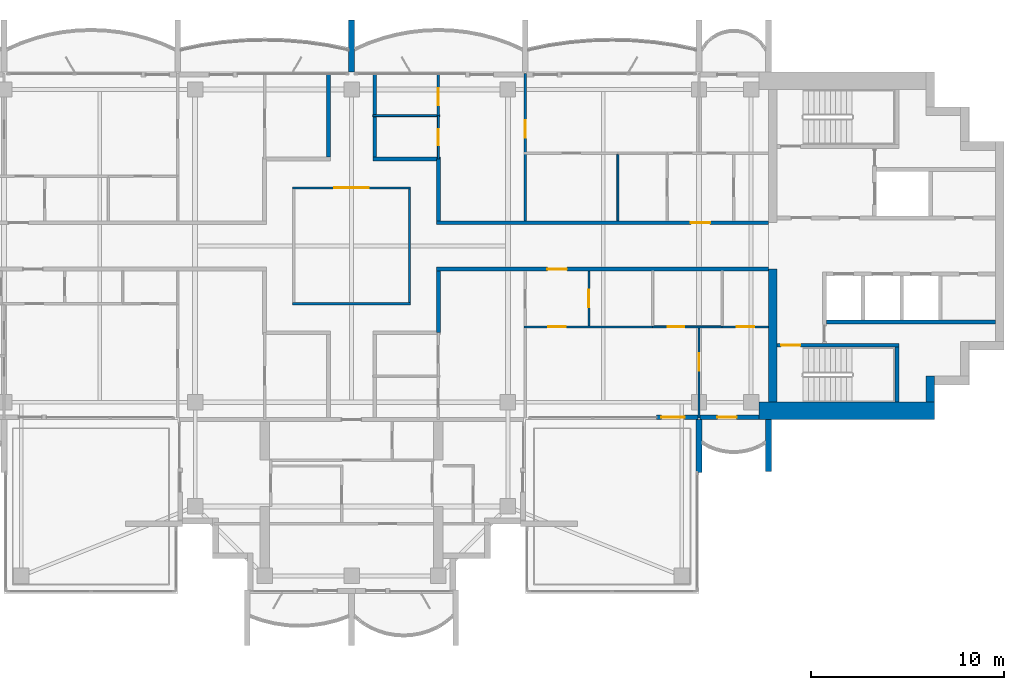
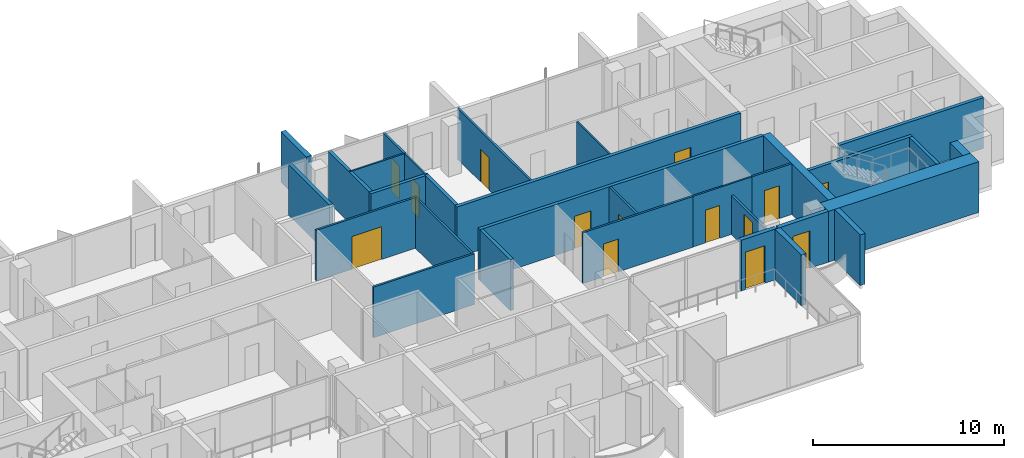
# One storey, part 10 of 16: 31 walls, 14 doors, 14 openings.
"""IFC4 building model written with IfcOpenShell, lengths in metres."""

from ifc_helpers import new_model, si_unit, direction, frame, frame_2d, origin, place, context, subcontext, project, spatial, rectangle, extrude, material, layer, layer_set, type_object, element, fill, save


model = new_model("IFC4")

# Units and contexts
model_context = context("Model", 3, precision=1e-05, world=origin(), true_north=direction((0.0, 1.0)))
body_context = subcontext(model_context, "Body", "Model", "MODEL_VIEW")
ifc_project = project(units=[si_unit("LENGTHUNIT", "METRE"), si_unit("AREAUNIT", "SQUARE_METRE"), si_unit("VOLUMEUNIT", "CUBIC_METRE"), si_unit("PLANEANGLEUNIT", "RADIAN"), si_unit("MASSUNIT", "GRAM", prefix="KILO")], contexts=[model_context])

# Site, building, storey
site_placement = place(None, origin())
site = spatial("IfcSite", under=ifc_project, at=site_placement, CompositionType="ELEMENT")
building_placement = place(site_placement, origin())
building = spatial("IfcBuilding", under=site, at=building_placement, Name="Perihelion Cross Residences", CompositionType="ELEMENT")
storey_placement = place(building_placement, frame((0.0, 0.0, 267.5)))
storey = spatial("IfcBuildingStorey", under=building, at=storey_placement, Name="L68", CompositionType="ELEMENT", Elevation=267.5)

# Wall, opening, door
ifc_material_1 = material(Name="Plasterboard partition")
ifc_layer_1 = layer(ifc_material_1, 0.199951171875)
ifc_layer_set_1 = layer_set([ifc_layer_1], Name="Apartment separation wall 200")
wall_type_1 = type_object("IfcWallType", Name="Apartment separation wall 200", PredefinedType="PARTITIONING", material=ifc_layer_set_1)
wall_1_placement = place(storey_placement, frame((4.39990234375, 1.199951171875, 0.0), z_axis=(0.0, 0.0, 1.0), x_axis=(1.0, 0.0, 0.0)))
wall_1 = element("IfcWall", 1, at=wall_1_placement, inside=storey, type_object=wall_type_1, Name="Partition L68 W005", PredefinedType="PARTITIONING", context=body_context, shape_type="SweptSolid", body=[
    extrude(rectangle(XDim=17.2001953125, YDim=0.199951171875, at=frame_2d((8.60009765625, 0.0))), origin(), (0.0, 0.0, 1.0), 3.25),
])
opening_1_placement = place(wall_1_placement, frame((13.175048828125, 0.0, 0.0)))
opening_1 = element("IfcOpeningElement", 2, at=opening_1_placement, cuts=wall_1, Name="Opening L68.A40", PredefinedType="OPENING", context=body_context, shape_type="SweptSolid", body=[
    extrude(rectangle(XDim=1.0, YDim=2.10009765625, at=frame_2d((0.5, 1.050048828125))), frame((0.0, 0.10986328125, 0.0), z_axis=(0.0, -1.0, 0.0), x_axis=(1.0, 0.0, 0.0)), (0.0, 0.0, 1.0), 0.219970703125),
])
ifc_material_2 = material(Name="Timber door leaf", Category="wood")
door_type_1 = type_object("IfcDoorType", Name="Flat entrance door 1000 x 2100", OperationType="SINGLE_SWING_LEFT", PredefinedType="DOOR", material=ifc_material_2)
door_1_placement = place(opening_1_placement, origin())
door_1 = element("IfcDoor", 3, at=door_1_placement, inside=storey, type_object=door_type_1, Name="Door L68.A40", OperationType="SINGLE_SWING_LEFT", OverallHeight=2.10009765625, OverallWidth=1.0, PredefinedType="DOOR", context=body_context, shape_type="SweptSolid", body=[
    extrude(rectangle(XDim=1.0, YDim=2.10009765625, at=frame_2d((0.5, 1.050048828125))), frame((0.0, 0.02490234375, 0.0), z_axis=(0.0, -1.0, 0.0), x_axis=(1.0, 0.0, 0.0)), (0.0, 0.0, 1.0), 0.050048828125),
])
fill(opening_1, door_1)

# Walls
wall_2_placement = place(storey_placement, frame((4.5, 4.5, 0.0), z_axis=(0.0, 0.0, 1.0), x_axis=(0.0, -1.0, 0.0)))
element("IfcWall", 4, at=wall_2_placement, inside=storey, type_object=wall_type_1, Name="Partition L68 W006", PredefinedType="PARTITIONING", context=body_context, shape_type="SweptSolid", body=[
    extrude(rectangle(XDim=3.199951171875, YDim=0.199951171875, at=frame_2d((1.60009765625, 0.0))), origin(), (0.0, 0.0, 1.0), 3.25),
])
wall_3_placement = place(storey_placement, frame((1.199951171875, 8.919921875, 0.0), z_axis=(0.0, 0.0, 1.0), x_axis=(0.0, -1.0, 0.0)))
element("IfcWall", 5, at=wall_3_placement, inside=storey, type_object=wall_type_1, Name="Partition L68 W007", PredefinedType="PARTITIONING", context=body_context, shape_type="SweptSolid", body=[
    extrude(rectangle(XDim=4.31982421875, YDim=0.199951171875, at=frame_2d((2.159912109375, 0.0))), origin(), (0.0, 0.0, 1.0), 3.25),
])
wall_4_placement = place(storey_placement, frame((1.10009765625, 4.5, 0.0), z_axis=(0.0, 0.0, 1.0), x_axis=(1.0, 0.0, 0.0)))
element("IfcWall", 6, at=wall_4_placement, inside=storey, type_object=wall_type_1, Name="Partition L68 W008", PredefinedType="PARTITIONING", context=body_context, shape_type="SweptSolid", body=[
    extrude(rectangle(XDim=3.5, YDim=0.199951171875, at=frame_2d((1.75, 0.0))), origin(), (0.0, 0.0, 1.0), 3.25),
])

# Wall, opening, door
wall_5_placement = place(storey_placement, frame((21.60009765625, -1.199951171875, 0.0), z_axis=(0.0, 0.0, 1.0), x_axis=(-1.0, 0.0, 0.0)))
wall_5 = element("IfcWall", 7, at=wall_5_placement, inside=storey, type_object=wall_type_1, Name="Partition L68 W009", PredefinedType="PARTITIONING", context=body_context, shape_type="SweptSolid", body=[
    extrude(rectangle(XDim=17.2001953125, YDim=0.199951171875, at=frame_2d((8.60009765625, 0.0))), origin(), (0.0, 0.0, 1.0), 3.25),
])
opening_2_placement = place(wall_5_placement, frame((10.449951171875, 0.0, 0.0)))
opening_2 = element("IfcOpeningElement", 8, at=opening_2_placement, cuts=wall_5, Name="Opening L68.A41", PredefinedType="OPENING", context=body_context, shape_type="SweptSolid", body=[
    extrude(rectangle(XDim=1.0, YDim=2.10009765625, at=frame_2d((0.5, 1.050048828125))), frame((0.0, 0.10986328125, 0.0), z_axis=(0.0, -1.0, 0.0), x_axis=(1.0, 0.0, 0.0)), (0.0, 0.0, 1.0), 0.219970703125),
])
door_2_placement = place(opening_2_placement, origin())
door_2 = element("IfcDoor", 9, at=door_2_placement, inside=storey, type_object=door_type_1, Name="Door L68.A41", OperationType="SINGLE_SWING_LEFT", OverallHeight=2.10009765625, OverallWidth=1.0, PredefinedType="DOOR", context=body_context, shape_type="SweptSolid", body=[
    extrude(rectangle(XDim=1.0, YDim=2.10009765625, at=frame_2d((0.5, 1.050048828125))), frame((0.0, 0.02490234375, 0.0), z_axis=(0.0, -1.0, 0.0), x_axis=(1.0, 0.0, 0.0)), (0.0, 0.0, 1.0), 0.050048828125),
])
fill(opening_2, door_2)

# Walls
wall_6_placement = place(storey_placement, frame((4.5, -1.300048828125, 0.0), z_axis=(0.0, 0.0, 1.0), x_axis=(0.0, -1.0, 0.0)))
element("IfcWall", 10, at=wall_6_placement, inside=storey, type_object=wall_type_1, Name="Partition L68 W010", PredefinedType="PARTITIONING", context=body_context, shape_type="SweptSolid", body=[
    extrude(rectangle(XDim=3.199951171875, YDim=0.199951171875, at=frame_2d((1.60009765625, 0.0))), origin(), (0.0, 0.0, 1.0), 3.25),
])
wall_7_placement = place(storey_placement, frame((-1.199951171875, 4.60009765625, 0.0), z_axis=(0.0, 0.0, 1.0), x_axis=(0.0, 1.0, 0.0)))
element("IfcWall", 11, at=wall_7_placement, inside=storey, type_object=wall_type_1, Name="Partition L68 W016", PredefinedType="PARTITIONING", context=body_context, shape_type="SweptSolid", body=[
    extrude(rectangle(XDim=4.31982421875, YDim=0.199951171875, at=frame_2d((2.159912109375, 0.0))), origin(), (0.0, 0.0, 1.0), 3.25),
])

# Wall, opening, door
ifc_material_3 = material(Name="Concrete C30/37, bronze-clad", Category="concrete")
ifc_layer_2 = layer(ifc_material_3, 0.25)
ifc_layer_set_2 = layer_set([ifc_layer_2], Name="Bronze-clad pier wall 250")
wall_type_2 = type_object("IfcWallType", Name="Bronze-clad pier wall 250", PredefinedType="SOLIDWALL", material=ifc_layer_set_2)
wall_8_placement = place(storey_placement, frame((15.800048828125, -8.875, 0.0), z_axis=(0.0, 0.0, 1.0), x_axis=(1.0, 0.0, 0.0)))
wall_8 = element("IfcWall", 12, at=wall_8_placement, inside=storey, type_object=wall_type_2, Name="Wall FW1 L68 east side south bay 1 pier", PredefinedType="SOLIDWALL", context=body_context, shape_type="SweptSolid", body=[
    extrude(rectangle(XDim=2.139892578125, YDim=0.25, at=frame_2d((1.06982421875, 0.0))), origin(), (0.0, 0.0, 1.0), 3.25),
])
opening_3_placement = place(wall_8_placement, frame((0.25, 0.0, 0.0)))
opening_3 = element("IfcOpeningElement", 13, at=opening_3_placement, cuts=wall_8, Name="Opening L68.E13", PredefinedType="OPENING", context=body_context, shape_type="SweptSolid", body=[
    extrude(rectangle(XDim=1.199951171875, YDim=2.39990234375, at=frame_2d((0.60009765625, 1.199951171875))), frame((0.0, 0.135009765625, 0.0), z_axis=(0.0, -1.0, 0.0), x_axis=(1.0, 0.0, 0.0)), (0.0, 0.0, 1.0), 0.27001953125),
])
ifc_material_4 = material(Name="Bronze anodised aluminium, glazed", Category="aluminium")
door_type_2 = type_object("IfcDoorType", Name="Balcony door 1200 x 2400", OperationType="NOTDEFINED", PredefinedType="DOOR", material=ifc_material_4)
door_3_placement = place(opening_3_placement, origin())
door_3 = element("IfcDoor", 14, at=door_3_placement, inside=storey, type_object=door_type_2, Name="Door L68.E13 east side south bay 1", OperationType="SINGLE_SWING_LEFT", OverallHeight=2.39990234375, OverallWidth=1.199951171875, PredefinedType="DOOR", context=body_context, shape_type="SweptSolid", body=[
    extrude(rectangle(XDim=1.199951171875, YDim=2.39990234375, at=frame_2d((0.60009765625, 1.199951171875))), frame((0.0, 0.02490234375, 0.0), z_axis=(0.0, -1.0, 0.0), x_axis=(1.0, 0.0, 0.0)), (0.0, 0.0, 1.0), 0.050048828125),
])
fill(opening_3, door_3)

wall_9_placement = place(storey_placement, frame((18.06005859375, -8.875, 0.0), z_axis=(0.0, 0.0, 1.0), x_axis=(1.0, 0.0, 0.0)))
wall_9 = element("IfcWall", 15, at=wall_9_placement, inside=storey, type_object=wall_type_2, Name="Wall FW1 L68 east side south bay 2 pier", PredefinedType="SOLIDWALL", context=body_context, shape_type="SweptSolid", body=[
    extrude(rectangle(XDim=3.0400390625, YDim=0.25, at=frame_2d((1.52001953125, 0.0))), origin(), (0.0, 0.0, 1.0), 3.25),
])
opening_4_placement = place(wall_9_placement, frame((0.889892578125, 0.0, 0.0)))
opening_4 = element("IfcOpeningElement", 16, at=opening_4_placement, cuts=wall_9, Name="Opening L68.E14", PredefinedType="OPENING", context=body_context, shape_type="SweptSolid", body=[
    extrude(rectangle(XDim=1.0, YDim=2.39990234375, at=frame_2d((0.5, 1.199951171875))), frame((0.0, 0.135009765625, 0.0), z_axis=(0.0, -1.0, 0.0), x_axis=(1.0, 0.0, 0.0)), (0.0, 0.0, 1.0), 0.27001953125),
])
ifc_material_5 = material(Name="Bronze anodised aluminium, glazed", Category="aluminium")
door_type_3 = type_object("IfcDoorType", Name="Balcony door 1000 x 2400", OperationType="NOTDEFINED", PredefinedType="DOOR", material=ifc_material_5)
door_4_placement = place(opening_4_placement, origin())
door_4 = element("IfcDoor", 17, at=door_4_placement, inside=storey, type_object=door_type_3, Name="Door L68.E14 east side south bay 2", OperationType="SINGLE_SWING_RIGHT", OverallHeight=2.39990234375, OverallWidth=1.0, PredefinedType="DOOR", context=body_context, shape_type="SweptSolid", body=[
    extrude(rectangle(XDim=1.0, YDim=2.39990234375, at=frame_2d((0.5, 1.199951171875))), frame((0.0, 0.02490234375, 0.0), z_axis=(0.0, -1.0, 0.0), x_axis=(1.0, 0.0, 0.0)), (0.0, 0.0, 1.0), 0.050048828125),
])
fill(opening_4, door_4)

# Walls
ifc_material_6 = material(Name="Concrete C60/75", Category="concrete")
ifc_layer_3 = layer(ifc_material_6, 0.449951171875)
ifc_layer_set_3 = layer_set([ifc_layer_3], Name="Core wall, inner 450")
wall_type_3 = type_object("IfcWallType", Name="Core wall, inner 450", PredefinedType="SHEAR", material=ifc_layer_set_3)
wall_10_placement = place(storey_placement, frame((21.824951171875, -8.10009765625, 0.0), z_axis=(0.0, 0.0, 1.0), x_axis=(0.0, 1.0, 0.0)))
element("IfcWall", 18, at=wall_10_placement, inside=storey, type_object=wall_type_3, Name="East core core wall, inner", PredefinedType="SHEAR", context=body_context, shape_type="SweptSolid", body=[
    extrude(rectangle(XDim=6.900146484375, YDim=0.449951171875, at=frame_2d((3.4501953125, 0.0))), origin(), (0.0, 0.0, 1.0), 3.25),
])
ifc_material_7 = material(Name="Concrete C60/75", Category="concrete")
ifc_layer_4 = layer(ifc_material_7, 0.449951171875)
ifc_layer_set_4 = layer_set([ifc_layer_4], Name="Core wall, outer 450")
wall_type_4 = type_object("IfcWallType", Name="Core wall, outer 450", PredefinedType="SHEAR", material=ifc_layer_set_4)
wall_11_placement = place(storey_placement, frame((29.97509765625, -8.10009765625, 0.0), z_axis=(0.0, 0.0, 1.0), x_axis=(0.0, 1.0, 0.0)))
element("IfcWall", 19, at=wall_11_placement, inside=storey, type_object=wall_type_4, Name="East core core wall, outer", PredefinedType="SHEAR", context=body_context, shape_type="SweptSolid", body=[
    extrude(rectangle(XDim=1.35009765625, YDim=0.449951171875, at=frame_2d((0.675048828125, 0.0))), origin(), (0.0, 0.0, 1.0), 3.25),
])
ifc_material_8 = material(Name="Concrete C60/75", Category="concrete")
ifc_layer_5 = layer(ifc_material_8, 0.89990234375)
ifc_layer_set_5 = layer_set([ifc_layer_5], Name="Core wall, outer 900")
wall_type_5 = type_object("IfcWallType", Name="Core wall, outer 900", PredefinedType="SHEAR", material=ifc_layer_set_5)
wall_12_placement = place(storey_placement, frame((21.10009765625, -8.550048828125, 0.0), z_axis=(0.0, 0.0, 1.0), x_axis=(1.0, 0.0, 0.0)))
element("IfcWall", 20, at=wall_12_placement, inside=storey, type_object=wall_type_5, Name="East core core wall, outer", PredefinedType="SHEAR", context=body_context, shape_type="SweptSolid", body=[
    extrude(rectangle(XDim=9.099853515625, YDim=0.89990234375, at=frame_2d((4.5498046875, 0.0))), origin(), (0.0, 0.0, 1.0), 3.25),
])
ifc_material_9 = material(Name="Plasterboard partition")
ifc_layer_6 = layer(ifc_material_9, 0.1201171875)
ifc_layer_set_6 = layer_set([ifc_layer_6], Name="Partition wall 120")
wall_type_6 = type_object("IfcWallType", Name="Partition wall 120", PredefinedType="PARTITIONING", material=ifc_layer_set_6)
wall_13_placement = place(storey_placement, frame((-3.06005859375, -3.0, 0.0), z_axis=(0.0, 0.0, 1.0), x_axis=(1.0, 0.0, 0.0)))
element("IfcWall", 21, at=wall_13_placement, inside=storey, type_object=wall_type_6, Name="Partition L68 W001", PredefinedType="PARTITIONING", context=body_context, shape_type="SweptSolid", body=[
    extrude(rectangle(XDim=6.1201171875, YDim=0.1201171875, at=frame_2d((3.06005859375, 0.0))), origin(), (0.0, 0.0, 1.0), 3.25),
])
wall_14_placement = place(storey_placement, frame((3.0, -2.93994140625, 0.0), z_axis=(0.0, 0.0, 1.0), x_axis=(0.0, 1.0, 0.0)))
element("IfcWall", 22, at=wall_14_placement, inside=storey, type_object=wall_type_6, Name="Partition L68 W002", PredefinedType="PARTITIONING", context=body_context, shape_type="SweptSolid", body=[
    extrude(rectangle(XDim=5.8798828125, YDim=0.1201171875, at=frame_2d((2.93994140625, 0.0))), origin(), (0.0, 0.0, 1.0), 3.25),
])

# Wall, opening, door
wall_15_placement = place(storey_placement, frame((3.06005859375, 3.0, 0.0), z_axis=(0.0, 0.0, 1.0), x_axis=(-1.0, 0.0, 0.0)))
wall_15 = element("IfcWall", 23, at=wall_15_placement, inside=storey, type_object=wall_type_6, Name="Partition L68 W003", PredefinedType="PARTITIONING", context=body_context, shape_type="SweptSolid", body=[
    extrude(rectangle(XDim=6.1201171875, YDim=0.1201171875, at=frame_2d((3.06005859375, 0.0))), origin(), (0.0, 0.0, 1.0), 3.25),
])
opening_5_placement = place(wall_15_placement, frame((2.159912109375, 0.0, 0.0)))
opening_5 = element("IfcOpeningElement", 24, at=opening_5_placement, cuts=wall_15, Name="Opening L68.A01", PredefinedType="OPENING", context=body_context, shape_type="SweptSolid", body=[
    extrude(rectangle(XDim=1.800048828125, YDim=2.10009765625, at=frame_2d((0.89990234375, 1.050048828125))), frame((0.0, 0.070068359375, 0.0), z_axis=(0.0, -1.0, 0.0), x_axis=(1.0, 0.0, 0.0)), (0.0, 0.0, 1.0), 0.14013671875),
])
ifc_material_10 = material(Name="Glazed timber door leaf", Category="wood")
door_type_4 = type_object("IfcDoorType", Name="Interior double leaf door 1800 x 2100", OperationType="DOUBLE_DOOR_SINGLE_SWING", PredefinedType="DOOR", material=ifc_material_10)
door_5_placement = place(opening_5_placement, origin())
door_5 = element("IfcDoor", 25, at=door_5_placement, inside=storey, type_object=door_type_4, Name="Door L68.A01", OperationType="SINGLE_SWING_LEFT", OverallHeight=2.10009765625, OverallWidth=1.800048828125, PredefinedType="DOOR", context=body_context, shape_type="SweptSolid", body=[
    extrude(rectangle(XDim=1.800048828125, YDim=2.10009765625, at=frame_2d((0.89990234375, 1.050048828125))), frame((0.0, 0.02490234375, 0.0), z_axis=(0.0, -1.0, 0.0), x_axis=(1.0, 0.0, 0.0)), (0.0, 0.0, 1.0), 0.050048828125),
])
fill(opening_5, door_5)

wall_16_placement = place(storey_placement, frame((9.0, 1.300048828125, 0.0), z_axis=(0.0, 0.0, 1.0), x_axis=(0.0, 1.0, 0.0)))
wall_16 = element("IfcWall", 26, at=wall_16_placement, inside=storey, type_object=wall_type_6, Name="Partition L68 W024", PredefinedType="PARTITIONING", context=body_context, shape_type="SweptSolid", body=[
    extrude(rectangle(XDim=7.619873046875, YDim=0.1201171875, at=frame_2d((3.81005859375, 0.0))), origin(), (0.0, 0.0, 1.0), 3.25),
])
opening_6_placement = place(wall_16_placement, frame((4.300048828125, 0.0, 0.0)))
opening_6 = element("IfcOpeningElement", 27, at=opening_6_placement, cuts=wall_16, Name="Opening L68.A04", PredefinedType="OPENING", context=body_context, shape_type="SweptSolid", body=[
    extrude(rectangle(XDim=0.89990234375, YDim=2.10009765625, at=frame_2d((0.449951171875, 1.050048828125))), frame((0.0, 0.070068359375, 0.0), z_axis=(0.0, -1.0, 0.0), x_axis=(1.0, 0.0, 0.0)), (0.0, 0.0, 1.0), 0.14013671875),
])
ifc_material_11 = material(Name="Timber door leaf", Category="wood")
door_type_5 = type_object("IfcDoorType", Name="Interior room door 900 x 2100", OperationType="SINGLE_SWING_LEFT", PredefinedType="DOOR", material=ifc_material_11)
door_6_placement = place(opening_6_placement, origin())
door_6 = element("IfcDoor", 28, at=door_6_placement, inside=storey, type_object=door_type_5, Name="Door L68.A04", OperationType="SINGLE_SWING_RIGHT", OverallHeight=2.10009765625, OverallWidth=0.89990234375, PredefinedType="DOOR", context=body_context, shape_type="SweptSolid", body=[
    extrude(rectangle(XDim=0.89990234375, YDim=2.10009765625, at=frame_2d((0.449951171875, 1.050048828125))), frame((0.0, 0.02490234375, 0.0), z_axis=(0.0, -1.0, 0.0), x_axis=(1.0, 0.0, 0.0)), (0.0, 0.0, 1.0), 0.050048828125),
])
fill(opening_6, door_6)

wall_17_placement = place(storey_placement, frame((4.5, 6.75, 0.0), z_axis=(0.0, 0.0, 1.0), x_axis=(0.0, 1.0, 0.0)))
wall_17 = element("IfcWall", 29, at=wall_17_placement, inside=storey, type_object=wall_type_6, Name="Partition L68 W031", PredefinedType="PARTITIONING", context=body_context, shape_type="SweptSolid", body=[
    extrude(rectangle(XDim=2.169921875, YDim=0.1201171875, at=frame_2d((1.0849609375, 0.0))), origin(), (0.0, 0.0, 1.0), 3.25),
])
opening_7_placement = place(wall_17_placement, frame((0.52490234375, 0.0, 0.0)))
opening_7 = element("IfcOpeningElement", 30, at=opening_7_placement, cuts=wall_17, Name="Opening L68.A06", PredefinedType="OPENING", context=body_context, shape_type="SweptSolid", body=[
    extrude(rectangle(XDim=0.89990234375, YDim=2.10009765625, at=frame_2d((0.449951171875, 1.050048828125))), frame((0.0, 0.070068359375, 0.0), z_axis=(0.0, -1.0, 0.0), x_axis=(1.0, 0.0, 0.0)), (0.0, 0.0, 1.0), 0.14013671875),
])
door_7_placement = place(opening_7_placement, origin())
door_7 = element("IfcDoor", 31, at=door_7_placement, inside=storey, type_object=door_type_5, Name="Door L68.A06", OperationType="SINGLE_SWING_RIGHT", OverallHeight=2.10009765625, OverallWidth=0.89990234375, PredefinedType="DOOR", context=body_context, shape_type="SweptSolid", body=[
    extrude(rectangle(XDim=0.89990234375, YDim=2.10009765625, at=frame_2d((0.449951171875, 1.050048828125))), frame((0.0, 0.02490234375, 0.0), z_axis=(0.0, -1.0, 0.0), x_axis=(1.0, 0.0, 0.0)), (0.0, 0.0, 1.0), 0.050048828125),
])
fill(opening_7, door_7)

wall_18_placement = place(storey_placement, frame((12.300048828125, -1.300048828125, 0.0), z_axis=(0.0, 0.0, 1.0), x_axis=(0.0, -1.0, 0.0)))
wall_18 = element("IfcWall", 32, at=wall_18_placement, inside=storey, type_object=wall_type_6, Name="Partition L68 W033", PredefinedType="PARTITIONING", context=body_context, shape_type="SweptSolid", body=[
    extrude(rectangle(XDim=2.83984375, YDim=0.1201171875, at=frame_2d((1.419921875, 0.0))), origin(), (0.0, 0.0, 1.0), 3.25),
])
opening_8_placement = place(wall_18_placement, frame((0.969970703125, 0.0, 0.0)))
opening_8 = element("IfcOpeningElement", 33, at=opening_8_placement, cuts=wall_18, Name="Opening L68.A13", PredefinedType="OPENING", context=body_context, shape_type="SweptSolid", body=[
    extrude(rectangle(XDim=0.89990234375, YDim=2.10009765625, at=frame_2d((0.449951171875, 1.050048828125))), frame((0.0, 0.070068359375, 0.0), z_axis=(0.0, -1.0, 0.0), x_axis=(1.0, 0.0, 0.0)), (0.0, 0.0, 1.0), 0.14013671875),
])
door_8_placement = place(opening_8_placement, origin())
door_8 = element("IfcDoor", 34, at=door_8_placement, inside=storey, type_object=door_type_5, Name="Door L68.A13", OperationType="SINGLE_SWING_LEFT", OverallHeight=2.10009765625, OverallWidth=0.89990234375, PredefinedType="DOOR", context=body_context, shape_type="SweptSolid", body=[
    extrude(rectangle(XDim=0.89990234375, YDim=2.10009765625, at=frame_2d((0.449951171875, 1.050048828125))), frame((0.0, 0.02490234375, 0.0), z_axis=(0.0, -1.0, 0.0), x_axis=(1.0, 0.0, 0.0)), (0.0, 0.0, 1.0), 0.050048828125),
])
fill(opening_8, door_8)

wall_19_placement = place(storey_placement, frame((15.60009765625, -4.199951171875, 0.0), z_axis=(0.0, 0.0, 1.0), x_axis=(-1.0, 0.0, 0.0)))
wall_19 = element("IfcWall", 35, at=wall_19_placement, inside=storey, type_object=wall_type_6, Name="Partition L68 W034", PredefinedType="PARTITIONING", context=body_context, shape_type="SweptSolid", body=[
    extrude(rectangle(XDim=6.66015625, YDim=0.1201171875, at=frame_2d((3.330078125, 0.0))), origin(), (0.0, 0.0, 1.0), 3.25),
])
opening_9_placement = place(wall_19_placement, frame((4.5, 0.0, 0.0)))
opening_9 = element("IfcOpeningElement", 36, at=opening_9_placement, cuts=wall_19, Name="Opening L68.A15", PredefinedType="OPENING", context=body_context, shape_type="SweptSolid", body=[
    extrude(rectangle(XDim=0.89990234375, YDim=2.10009765625, at=frame_2d((0.449951171875, 1.050048828125))), frame((0.0, 0.070068359375, 0.0), z_axis=(0.0, -1.0, 0.0), x_axis=(1.0, 0.0, 0.0)), (0.0, 0.0, 1.0), 0.14013671875),
])
door_9_placement = place(opening_9_placement, origin())
door_9 = element("IfcDoor", 37, at=door_9_placement, inside=storey, type_object=door_type_5, Name="Door L68.A15", OperationType="SINGLE_SWING_LEFT", OverallHeight=2.10009765625, OverallWidth=0.89990234375, PredefinedType="DOOR", context=body_context, shape_type="SweptSolid", body=[
    extrude(rectangle(XDim=0.89990234375, YDim=2.10009765625, at=frame_2d((0.449951171875, 1.050048828125))), frame((0.0, 0.02490234375, 0.0), z_axis=(0.0, -1.0, 0.0), x_axis=(1.0, 0.0, 0.0)), (0.0, 0.0, 1.0), 0.050048828125),
])
fill(opening_9, door_9)

wall_20_placement = place(storey_placement, frame((21.60009765625, -4.199951171875, 0.0), z_axis=(0.0, 0.0, 1.0), x_axis=(-1.0, 0.0, 0.0)))
wall_20 = element("IfcWall", 38, at=wall_20_placement, inside=storey, type_object=wall_type_6, Name="Partition L68 W039", PredefinedType="PARTITIONING", context=body_context, shape_type="SweptSolid", body=[
    extrude(rectangle(XDim=2.400146484375, YDim=0.1201171875, at=frame_2d((1.2001953125, 0.0))), origin(), (0.0, 0.0, 1.0), 3.25),
])
opening_10_placement = place(wall_20_placement, frame((0.75, 0.0, 0.0)))
opening_10 = element("IfcOpeningElement", 39, at=opening_10_placement, cuts=wall_20, Name="Opening L68.A16", PredefinedType="OPENING", context=body_context, shape_type="SweptSolid", body=[
    extrude(rectangle(XDim=0.89990234375, YDim=2.10009765625, at=frame_2d((0.449951171875, 1.050048828125))), frame((0.0, 0.070068359375, 0.0), z_axis=(0.0, -1.0, 0.0), x_axis=(1.0, 0.0, 0.0)), (0.0, 0.0, 1.0), 0.14013671875),
])
door_10_placement = place(opening_10_placement, origin())
door_10 = element("IfcDoor", 40, at=door_10_placement, inside=storey, type_object=door_type_5, Name="Door L68.A16", OperationType="SINGLE_SWING_RIGHT", OverallHeight=2.10009765625, OverallWidth=0.89990234375, PredefinedType="DOOR", context=body_context, shape_type="SweptSolid", body=[
    extrude(rectangle(XDim=0.89990234375, YDim=2.10009765625, at=frame_2d((0.449951171875, 1.050048828125))), frame((0.0, 0.02490234375, 0.0), z_axis=(0.0, -1.0, 0.0), x_axis=(1.0, 0.0, 0.0)), (0.0, 0.0, 1.0), 0.050048828125),
])
fill(opening_10, door_10)

wall_21_placement = place(storey_placement, frame((18.0, -4.25, 0.0), z_axis=(0.0, 0.0, 1.0), x_axis=(0.0, -1.0, 0.0)))
wall_21 = element("IfcWall", 41, at=wall_21_placement, inside=storey, type_object=wall_type_6, Name="Partition L68 W040", PredefinedType="PARTITIONING", context=body_context, shape_type="SweptSolid", body=[
    extrude(rectangle(XDim=4.669921875, YDim=0.1201171875, at=frame_2d((2.3349609375, 0.0))), origin(), (0.0, 0.0, 1.0), 2.49609375),
])
opening_11_placement = place(wall_21_placement, frame((1.324951171875, 0.0, 0.0)))
opening_11 = element("IfcOpeningElement", 42, at=opening_11_placement, cuts=wall_21, Name="Opening L68.A10", PredefinedType="OPENING", context=body_context, shape_type="SweptSolid", body=[
    extrude(rectangle(XDim=0.89990234375, YDim=2.10009765625, at=frame_2d((0.449951171875, 1.050048828125))), frame((0.0, 0.070068359375, 0.0), z_axis=(0.0, -1.0, 0.0), x_axis=(1.0, 0.0, 0.0)), (0.0, 0.0, 1.0), 0.14013671875),
])
door_11_placement = place(opening_11_placement, origin())
door_11 = element("IfcDoor", 43, at=door_11_placement, inside=storey, type_object=door_type_5, Name="Door L68.A10", OperationType="SINGLE_SWING_LEFT", OverallHeight=2.10009765625, OverallWidth=0.89990234375, PredefinedType="DOOR", context=body_context, shape_type="SweptSolid", body=[
    extrude(rectangle(XDim=0.89990234375, YDim=2.10009765625, at=frame_2d((0.449951171875, 1.050048828125))), frame((0.0, 0.02490234375, 0.0), z_axis=(0.0, -1.0, 0.0), x_axis=(1.0, 0.0, 0.0)), (0.0, 0.0, 1.0), 0.050048828125),
])
fill(opening_11, door_11)

# Walls
ifc_material_12 = material(Name="Precast concrete C50/60", Category="concrete")
ifc_layer_7 = layer(ifc_material_12, 0.300048828125)
ifc_layer_set_7 = layer_set([ifc_layer_7], Name="Precast concrete C50/60 blade wall 300")
wall_type_7 = type_object("IfcWallType", Name="Precast concrete C50/60 blade wall 300", PredefinedType="SOLIDWALL", material=ifc_layer_set_7)
wall_22_placement = place(storey_placement, frame((0.0, 9.0, 0.0), z_axis=(0.0, 0.0, 1.0), x_axis=(0.0, 1.0, 0.0)))
element("IfcWall", 44, at=wall_22_placement, inside=storey, type_object=wall_type_7, Name="Wall BL1 L68 no. 9", PredefinedType="SOLIDWALL", context=body_context, shape_type="SweptSolid", body=[
    extrude(rectangle(XDim=2.699951171875, YDim=0.300048828125, at=frame_2d((1.35009765625, 0.0))), origin(), (0.0, 0.0, 1.0), 3.25),
])
wall_23_placement = place(storey_placement, frame((18.0, -9.0, 0.0), z_axis=(0.0, 0.0, 1.0), x_axis=(0.0, -1.0, 0.0)))
element("IfcWall", 45, at=wall_23_placement, inside=storey, type_object=wall_type_7, Name="Wall BL1 L68 no. 10", PredefinedType="SOLIDWALL", context=body_context, shape_type="SweptSolid", body=[
    extrude(rectangle(XDim=2.739990234375, YDim=0.300048828125, at=frame_2d((1.3701171875, 0.0))), origin(), (0.0, 0.0, 1.0), 3.25),
])
wall_24_placement = place(storey_placement, frame((21.60009765625, -9.0, 0.0), z_axis=(0.0, 0.0, 1.0), x_axis=(0.0, -1.0, 0.0)))
element("IfcWall", 46, at=wall_24_placement, inside=storey, type_object=wall_type_7, Name="Wall BL1 L68 no. 12", PredefinedType="SOLIDWALL", context=body_context, shape_type="SweptSolid", body=[
    extrude(rectangle(XDim=2.699951171875, YDim=0.300048828125, at=frame_2d((1.35009765625, 0.0))), origin(), (0.0, 0.0, 1.0), 3.25),
])
ifc_material_13 = material(Name="Concrete C50/60", Category="concrete")
ifc_layer_8 = layer(ifc_material_13, 0.199951171875)
ifc_layer_set_8 = layer_set([ifc_layer_8], Name="Shaft wall 200")
wall_type_8 = type_object("IfcWallType", Name="Shaft wall 200", PredefinedType="SOLIDWALL", material=ifc_layer_set_8)
wall_25_placement = place(storey_placement, frame((24.60009765625, -3.949951171875, 0.0), z_axis=(0.0, 0.0, 1.0), x_axis=(1.0, 0.0, 0.0)))
element("IfcWall", 47, at=wall_25_placement, inside=storey, type_object=wall_type_8, Name="East core shaft wall", PredefinedType="SOLIDWALL", context=body_context, shape_type="SweptSolid", body=[
    extrude(rectangle(XDim=8.75, YDim=0.199951171875, at=frame_2d((4.375, 0.0))), origin(), (0.0, 0.0, 1.0), 3.25),
])

# Wall, opening, door
ifc_material_14 = material(Name="Concrete C50/60", Category="concrete")
ifc_layer_9 = layer(ifc_material_14, 0.199951171875)
ifc_layer_set_9 = layer_set([ifc_layer_9], Name="Stair wall 200")
wall_type_9 = type_object("IfcWallType", Name="Stair wall 200", PredefinedType="SOLIDWALL", material=ifc_layer_set_9)
wall_26_placement = place(storey_placement, frame((22.050048828125, -5.14990234375, 0.0), z_axis=(0.0, 0.0, 1.0), x_axis=(1.0, 0.0, 0.0)))
wall_26 = element("IfcWall", 48, at=wall_26_placement, inside=storey, type_object=wall_type_9, Name="East core stair wall", PredefinedType="SOLIDWALL", context=body_context, shape_type="SweptSolid", body=[
    extrude(rectangle(XDim=6.300048828125, YDim=0.199951171875, at=frame_2d((3.14990234375, 0.0))), origin(), (0.0, 0.0, 1.0), 3.25),
])
opening_12_placement = place(wall_26_placement, frame((0.199951171875, 0.0, 0.0)))
opening_12 = element("IfcOpeningElement", 49, at=opening_12_placement, cuts=wall_26, Name="Opening L68.C05", PredefinedType="OPENING", context=body_context, shape_type="SweptSolid", body=[
    extrude(rectangle(XDim=1.0, YDim=2.10009765625, at=frame_2d((0.5, 1.050048828125))), frame((0.0, 0.10986328125, 0.0), z_axis=(0.0, -1.0, 0.0), x_axis=(1.0, 0.0, 0.0)), (0.0, 0.0, 1.0), 0.219970703125),
])
ifc_material_15 = material(Name="Steel, powder coated", Category="steel")
door_type_6 = type_object("IfcDoorType", Name="Stair door 1000", OperationType="SINGLE_SWING_LEFT", PredefinedType="DOOR", material=ifc_material_15)
door_12_placement = place(opening_12_placement, origin())
door_12 = element("IfcDoor", 50, at=door_12_placement, inside=storey, type_object=door_type_6, Name="East core stair door", OperationType="SINGLE_SWING_LEFT", OverallHeight=2.10009765625, OverallWidth=1.0, PredefinedType="DOOR", context=body_context, shape_type="SweptSolid", body=[
    extrude(rectangle(XDim=1.0, YDim=2.10009765625, at=frame_2d((0.5, 1.050048828125))), frame((0.0, 0.02490234375, 0.0), z_axis=(0.0, -1.0, 0.0), x_axis=(1.0, 0.0, 0.0)), (0.0, 0.0, 1.0), 0.050048828125),
])
fill(opening_12, door_12)

# Walls
wall_27_placement = place(storey_placement, frame((28.25, -8.10009765625, 0.0), z_axis=(0.0, 0.0, 1.0), x_axis=(0.0, 1.0, 0.0)))
element("IfcWall", 51, at=wall_27_placement, inside=storey, type_object=wall_type_9, Name="East core stair wall", PredefinedType="SOLIDWALL", context=body_context, shape_type="SweptSolid", body=[
    extrude(rectangle(XDim=2.85009765625, YDim=0.199951171875, at=frame_2d((1.425048828125, 0.0))), origin(), (0.0, 0.0, 1.0), 3.25),
])
ifc_material_16 = material(Name="Plasterboard partition")
ifc_layer_10 = layer(ifc_material_16, 0.10009765625)
ifc_layer_set_10 = layer_set([ifc_layer_10], Name="Wet room wall 100")
wall_type_10 = type_object("IfcWallType", Name="Wet room wall 100", PredefinedType="PARTITIONING", material=ifc_layer_set_10)
wall_28_placement = place(storey_placement, frame((13.800048828125, 4.739990234375, 0.0), z_axis=(0.0, 0.0, 1.0), x_axis=(0.0, -1.0, 0.0)))
element("IfcWall", 52, at=wall_28_placement, inside=storey, type_object=wall_type_10, Name="Partition L68 W022", PredefinedType="PARTITIONING", context=body_context, shape_type="SweptSolid", body=[
    extrude(rectangle(XDim=3.43994140625, YDim=0.10009765625, at=frame_2d((1.719970703125, 0.0))), origin(), (0.0, 0.0, 1.0), 3.25),
])

# Wall, opening, door
wall_29_placement = place(storey_placement, frame((4.5, 4.5, 0.0), z_axis=(0.0, 0.0, 1.0), x_axis=(0.0, 1.0, 0.0)))
wall_29 = element("IfcWall", 53, at=wall_29_placement, inside=storey, type_object=wall_type_10, Name="Partition L68 W030", PredefinedType="PARTITIONING", context=body_context, shape_type="SweptSolid", body=[
    extrude(rectangle(XDim=2.25, YDim=0.10009765625, at=frame_2d((1.125, 0.0))), origin(), (0.0, 0.0, 1.0), 3.25),
])
opening_13_placement = place(wall_29_placement, frame((0.699951171875, 0.0, 0.0)))
opening_13 = element("IfcOpeningElement", 54, at=opening_13_placement, cuts=wall_29, Name="Opening L68.A03", PredefinedType="OPENING", context=body_context, shape_type="SweptSolid", body=[
    extrude(rectangle(XDim=0.85009765625, YDim=2.10009765625, at=frame_2d((0.425048828125, 1.050048828125))), frame((0.0, 0.06005859375, 0.0), z_axis=(0.0, -1.0, 0.0), x_axis=(1.0, 0.0, 0.0)), (0.0, 0.0, 1.0), 0.1201171875),
])
ifc_material_17 = material(Name="Timber door leaf", Category="wood")
door_type_7 = type_object("IfcDoorType", Name="Interior bathroom door 850 x 2100", OperationType="SINGLE_SWING_LEFT", PredefinedType="DOOR", material=ifc_material_17)
door_13_placement = place(opening_13_placement, origin())
door_13 = element("IfcDoor", 55, at=door_13_placement, inside=storey, type_object=door_type_7, Name="Door L68.A03", OperationType="SINGLE_SWING_LEFT", OverallHeight=2.10009765625, OverallWidth=0.85009765625, PredefinedType="DOOR", context=body_context, shape_type="SweptSolid", body=[
    extrude(rectangle(XDim=0.85009765625, YDim=2.10009765625, at=frame_2d((0.425048828125, 1.050048828125))), frame((0.0, 0.02490234375, 0.0), z_axis=(0.0, -1.0, 0.0), x_axis=(1.0, 0.0, 0.0)), (0.0, 0.0, 1.0), 0.050048828125),
])
fill(opening_13, door_13)

# Wall
wall_30_placement = place(storey_placement, frame((1.10009765625, 6.75, 0.0), z_axis=(0.0, 0.0, 1.0), x_axis=(1.0, 0.0, 0.0)))
element("IfcWall", 56, at=wall_30_placement, inside=storey, type_object=wall_type_10, Name="Partition L68 W032", PredefinedType="PARTITIONING", context=body_context, shape_type="SweptSolid", body=[
    extrude(rectangle(XDim=3.4599609375, YDim=0.10009765625, at=frame_2d((1.72998046875, 0.0))), origin(), (0.0, 0.0, 1.0), 3.25),
])

# Wall, opening, door
wall_31_placement = place(storey_placement, frame((19.199951171875, -4.199951171875, 0.0), z_axis=(0.0, 0.0, 1.0), x_axis=(-1.0, 0.0, 0.0)))
wall_31 = element("IfcWall", 57, at=wall_31_placement, inside=storey, type_object=wall_type_10, Name="Partition L68 W038", PredefinedType="PARTITIONING", context=body_context, shape_type="SweptSolid", body=[
    extrude(rectangle(XDim=3.599853515625, YDim=0.10009765625, at=frame_2d((1.7998046875, 0.0))), origin(), (0.0, 0.0, 1.0), 3.25),
])
opening_14_placement = place(wall_31_placement, frame((1.97509765625, 0.0, 0.0)))
opening_14 = element("IfcOpeningElement", 58, at=opening_14_placement, cuts=wall_31, Name="Opening L68.A17", PredefinedType="OPENING", context=body_context, shape_type="SweptSolid", body=[
    extrude(rectangle(XDim=0.85009765625, YDim=2.10009765625, at=frame_2d((0.425048828125, 1.050048828125))), frame((0.0, 0.06005859375, 0.0), z_axis=(0.0, -1.0, 0.0), x_axis=(1.0, 0.0, 0.0)), (0.0, 0.0, 1.0), 0.1201171875),
])
door_14_placement = place(opening_14_placement, origin())
door_14 = element("IfcDoor", 59, at=door_14_placement, inside=storey, type_object=door_type_7, Name="Door L68.A17", OperationType="SINGLE_SWING_LEFT", OverallHeight=2.10009765625, OverallWidth=0.85009765625, PredefinedType="DOOR", context=body_context, shape_type="SweptSolid", body=[
    extrude(rectangle(XDim=0.85009765625, YDim=2.10009765625, at=frame_2d((0.425048828125, 1.050048828125))), frame((0.0, 0.02490234375, 0.0), z_axis=(0.0, -1.0, 0.0), x_axis=(1.0, 0.0, 0.0)), (0.0, 0.0, 1.0), 0.050048828125),
])
fill(opening_14, door_14)

save(model, "model.ifc")
